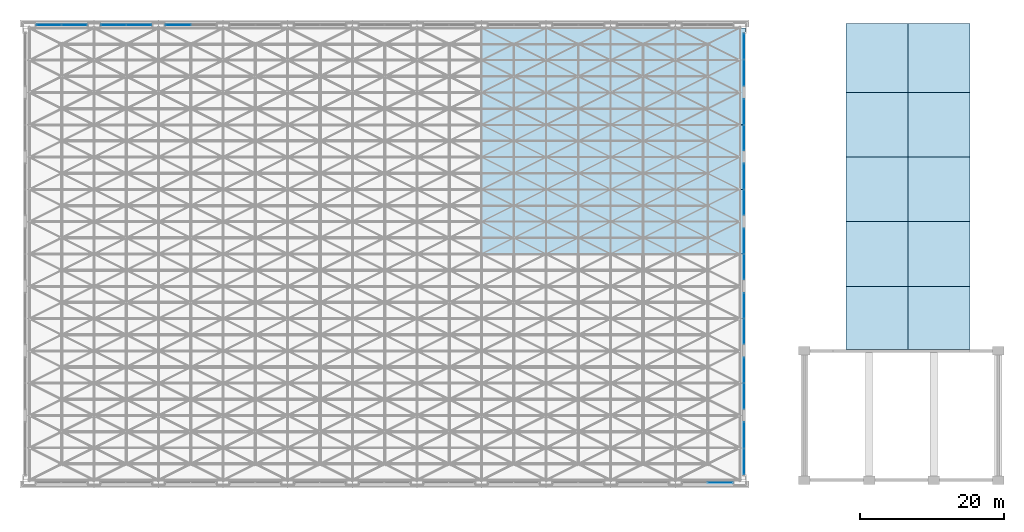
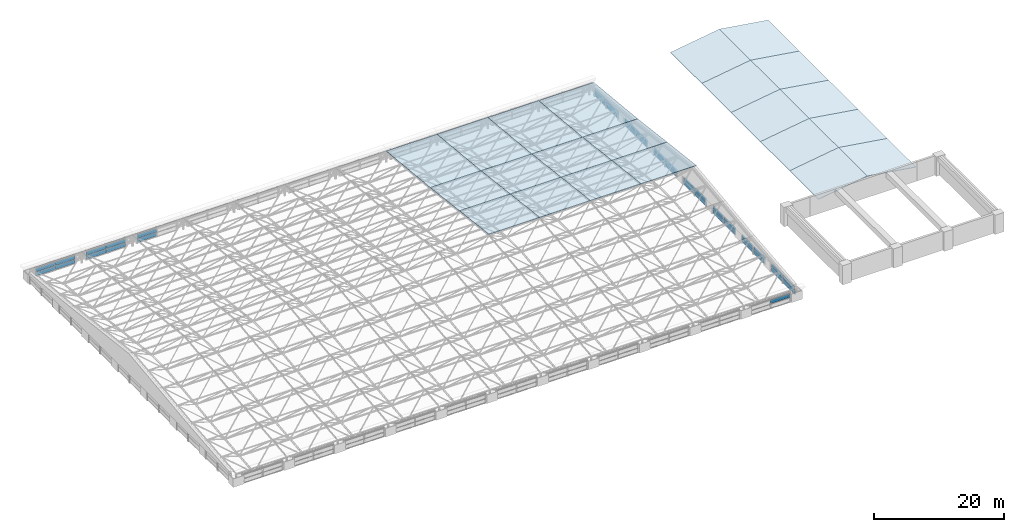
# One storey, part 25 of 53: 39 plates, 22 slabs, 11 elements without a shape of their own.
"""IFC4 building model written with IfcOpenShell, lengths in metres."""

from ifc_helpers import new_model, si_unit, direction, frame, origin, origin_2d, place, context, subcontext, project, spatial, polyline, rectangle, outline, extrude, material, layer, layer_set, type_object, element, aggregate, save


model = new_model("IFC4")

# Units and contexts
model_context = context("Model", 3, precision=1e-05, world=origin(), true_north=direction((0.0, 1.0)))
body_context = subcontext(model_context, "Body", "Model", "MODEL_VIEW")
ifc_project = project(units=[si_unit("LENGTHUNIT", "METRE"), si_unit("AREAUNIT", "SQUARE_METRE"), si_unit("VOLUMEUNIT", "CUBIC_METRE"), si_unit("PLANEANGLEUNIT", "RADIAN"), si_unit("MASSUNIT", "GRAM", prefix="KILO")], contexts=[model_context])

# Site, building, storey
site_placement = place(None, origin())
site = spatial("IfcSite", under=ifc_project, at=site_placement, CompositionType="ELEMENT")
building_placement = place(site_placement, origin())
building = spatial("IfcBuilding", under=site, at=building_placement, Name="Aravalli Gate Trade Fair Centre", CompositionType="ELEMENT")
storey_placement = place(building_placement, frame((0.0, 0.0, 25.199951171875)))
storey = spatial("IfcBuildingStorey", under=building, at=storey_placement, Name="ROOF LEVEL 2", CompositionType="ELEMENT", Elevation=25.199951171875)

# Slabs
ifc_material_1 = material(Name="Steel E350 (350 MPa)", Category="steel")
ifc_layer_1 = layer(ifc_material_1, 0.1201171875)
ifc_layer_set_1 = layer_set([ifc_layer_1], Name="Steel E350 (350 MPa)")
slab_type_1 = type_object("IfcSlabType", Name="Congress roof cover panel 120", PredefinedType="ROOF", material=ifc_layer_set_1)
slab_1_placement = place(storey_placement, frame((119.760009765625, 64.199951171875, 2.408447265625), z_axis=(-0.151034876544, 0.0, 0.988528434628), x_axis=(0.988528434628, 0.0, 0.151034876544)))
element("IfcSlab", 1, at=slab_1_placement, inside=storey, type_object=slab_type_1, Name="Roof cover panel 1.2", PredefinedType="ROOF", context=body_context, shape_type="SweptSolid", body=[
    extrude(outline(polyline([(0.0, 0.0), (8.740155847292566, 0.0), (8.740155847292566, 8.800048828124998), (0.0, 8.800048828124998), (0.0, 0.0)])), origin(), (0.0, 0.0, -1.0), 0.1201171875),
])
slab_2_placement = place(storey_placement, frame((128.39990234375, 64.199951171875, 3.728515625), z_axis=(0.151030706166, 0.0, 0.988529071801), x_axis=(0.988529071801, 0.0, -0.151030706166)))
element("IfcSlab", 2, at=slab_2_placement, inside=storey, type_object=slab_type_1, Name="Roof cover panel 1.3", PredefinedType="ROOF", context=body_context, shape_type="SweptSolid", body=[
    extrude(outline(polyline([(0.0, 0.0), (8.740397187320209, 0.0), (8.740397187320209, 8.800048828125), (0.0, 8.800048828125), (0.0, 0.0)])), origin(), (0.0, 0.0, -1.0), 0.1201171875),
])
slab_3_placement = place(storey_placement, frame((119.760009765625, 73.0, 2.408447265625), z_axis=(-0.151034876544, 0.0, 0.988528434628), x_axis=(0.988528434628, 0.0, 0.151034876544)))
element("IfcSlab", 3, at=slab_3_placement, inside=storey, type_object=slab_type_1, Name="Roof cover panel 2.2", PredefinedType="ROOF", context=body_context, shape_type="SweptSolid", body=[
    extrude(outline(polyline([(0.0, 0.0), (8.740155847292566, 0.0), (8.740155847292566, 9.0), (0.0, 9.0), (0.0, 0.0)])), origin(), (0.0, 0.0, -1.0), 0.1201171875),
])
slab_4_placement = place(storey_placement, frame((128.39990234375, 73.0, 3.728515625), z_axis=(0.151030706166, 0.0, 0.988529071801), x_axis=(0.988529071801, 0.0, -0.151030706166)))
element("IfcSlab", 4, at=slab_4_placement, inside=storey, type_object=slab_type_1, Name="Roof cover panel 2.3", PredefinedType="ROOF", context=body_context, shape_type="SweptSolid", body=[
    extrude(outline(polyline([(0.0, 0.0), (8.740397187320209, 0.0), (8.740397187320209, 9.0), (0.0, 9.0), (0.0, 0.0)])), origin(), (0.0, 0.0, -1.0), 0.1201171875),
])
slab_5_placement = place(storey_placement, frame((119.760009765625, 82.0, 2.408447265625), z_axis=(-0.151034876544, 0.0, 0.988528434628), x_axis=(0.988528434628, 0.0, 0.151034876544)))
element("IfcSlab", 5, at=slab_5_placement, inside=storey, type_object=slab_type_1, Name="Roof cover panel 3.2", PredefinedType="ROOF", context=body_context, shape_type="SweptSolid", body=[
    extrude(outline(polyline([(0.0, 0.0), (8.740155847292566, 0.0), (8.740155847292566, 9.0), (0.0, 9.0), (0.0, 0.0)])), origin(), (0.0, 0.0, -1.0), 0.1201171875),
])
slab_6_placement = place(storey_placement, frame((128.39990234375, 82.0, 3.728515625), z_axis=(0.151030706166, 0.0, 0.988529071801), x_axis=(0.988529071801, 0.0, -0.151030706166)))
element("IfcSlab", 6, at=slab_6_placement, inside=storey, type_object=slab_type_1, Name="Roof cover panel 3.3", PredefinedType="ROOF", context=body_context, shape_type="SweptSolid", body=[
    extrude(outline(polyline([(0.0, 0.0), (8.740397187320209, 0.0), (8.740397187320209, 9.0), (0.0, 9.0), (0.0, 0.0)])), origin(), (0.0, 0.0, -1.0), 0.1201171875),
])
slab_7_placement = place(storey_placement, frame((119.760009765625, 91.0, 2.408447265625), z_axis=(-0.151034876544, 0.0, 0.988528434628), x_axis=(0.988528434628, 0.0, 0.151034876544)))
element("IfcSlab", 7, at=slab_7_placement, inside=storey, type_object=slab_type_1, Name="Roof cover panel 4.2", PredefinedType="ROOF", context=body_context, shape_type="SweptSolid", body=[
    extrude(outline(polyline([(0.0, 0.0), (8.740155847292566, 0.0), (8.740155847292566, 9.0), (0.0, 9.0), (0.0, 0.0)])), origin(), (0.0, 0.0, -1.0), 0.1201171875),
])
slab_8_placement = place(storey_placement, frame((128.39990234375, 91.0, 3.728515625), z_axis=(0.151030706166, 0.0, 0.988529071801), x_axis=(0.988529071801, 0.0, -0.151030706166)))
element("IfcSlab", 8, at=slab_8_placement, inside=storey, type_object=slab_type_1, Name="Roof cover panel 4.3", PredefinedType="ROOF", context=body_context, shape_type="SweptSolid", body=[
    extrude(outline(polyline([(0.0, 0.0), (8.740397187320209, 0.0), (8.740397187320209, 9.0), (0.0, 9.0), (0.0, 0.0)])), origin(), (0.0, 0.0, -1.0), 0.1201171875),
])
slab_9_placement = place(storey_placement, frame((119.760009765625, 100.0, 2.408447265625), z_axis=(-0.151034876544, 0.0, 0.988528434628), x_axis=(0.988528434628, 0.0, 0.151034876544)))
element("IfcSlab", 9, at=slab_9_placement, inside=storey, type_object=slab_type_1, Name="Roof cover panel 5.2", PredefinedType="ROOF", context=body_context, shape_type="SweptSolid", body=[
    extrude(outline(polyline([(0.0, 0.0), (8.740155847292566, 0.0), (8.740155847292566, 9.60009765625), (0.0, 9.60009765625), (0.0, 0.0)])), origin(), (0.0, 0.0, -1.0), 0.1201171875),
])
slab_10_placement = place(storey_placement, frame((128.39990234375, 100.0, 3.728515625), z_axis=(0.151030706166, 0.0, 0.988529071801), x_axis=(0.988529071801, 0.0, -0.151030706166)))
element("IfcSlab", 10, at=slab_10_placement, inside=storey, type_object=slab_type_1, Name="Roof cover panel 5.3", PredefinedType="ROOF", context=body_context, shape_type="SweptSolid", body=[
    extrude(outline(polyline([(0.0, 0.0), (8.740397187320209, 0.0), (8.740397187320209, 9.60009765625), (0.0, 9.60009765625), (0.0, 0.0)])), origin(), (0.0, 0.0, -1.0), 0.1201171875),
])

# Curtain wall, plates
ifc_material_2 = material(Name="Aluminium, glass and louvre", Category="aluminium")
curtain_wall_type = type_object("IfcCurtainWallType", Name="Hall crown curtain wall 3000 module", PredefinedType="NOTDEFINED", material=ifc_material_2)
curtain_wall_1_placement = place(storey_placement, origin())
curtain_wall_1 = element("IfcCurtainWall", 11, at=curtain_wall_1_placement, inside=storey, type_object=curtain_wall_type, Name="Hall east crown curtain wall 1 ROOF LEVEL 2", PredefinedType="NOTDEFINED")
ifc_material_3 = material(Name="Glass, double glazed", Category="glass")
ifc_layer_2 = layer(ifc_material_3, 0.028076171875)
ifc_layer_set_2 = layer_set([ifc_layer_2], Name="Glass, double glazed")
plate_type_1 = type_object("IfcPlateType", Name="Hall curtain wall panel, glass 28", PredefinedType="CURTAIN_PANEL", material=ifc_layer_set_2)
plate_1_placement = place(storey_placement, frame((105.574951171875, 48.6025390625, 0.830078125), z_axis=(0.0, 0.0, 1.0), x_axis=(0.0, 1.0, 0.0)))
plate_1 = element("IfcPlate", 12, at=plate_1_placement, type_object=plate_type_1, Name="HCW1 panel 1.2", PredefinedType="CURTAIN_PANEL", context=body_context, shape_type="SweptSolid", body=[
    extrude(rectangle(XDim=3.5849609375, YDim=0.028076171875, at=origin_2d()), origin(), (0.0, 0.0, 1.0), 0.7099609375),
])
plate_2_placement = place(storey_placement, frame((105.574951171875, 52.24755859375, 0.830078125), z_axis=(0.0, 0.0, 1.0), x_axis=(0.0, 1.0, 0.0)))
plate_2 = element("IfcPlate", 13, at=plate_2_placement, type_object=plate_type_1, Name="HCW1 panel 2.2", PredefinedType="CURTAIN_PANEL", context=body_context, shape_type="SweptSolid", body=[
    extrude(rectangle(XDim=3.5849609375, YDim=0.028076171875, at=origin_2d()), origin(), (0.0, 0.0, 1.0), 0.7099609375),
])

curtain_wall_2_placement = place(storey_placement, origin())
curtain_wall_2 = element("IfcCurtainWall", 14, at=curtain_wall_2_placement, inside=storey, type_object=curtain_wall_type, Name="Hall east crown curtain wall 2 ROOF LEVEL 2", PredefinedType="NOTDEFINED")
plate_3_placement = place(storey_placement, frame((105.574951171875, 57.715087890625, 0.830078125), z_axis=(0.0, 0.0, 1.0), x_axis=(0.0, 1.0, 0.0)))
plate_3 = element("IfcPlate", 15, at=plate_3_placement, type_object=plate_type_1, Name="HCW1 panel 1.2", PredefinedType="CURTAIN_PANEL", context=body_context, shape_type="SweptSolid", body=[
    extrude(rectangle(XDim=3.510009765625, YDim=0.028076171875, at=origin_2d()), origin(), (0.0, 0.0, 1.0), 0.7099609375),
])
plate_4_placement = place(storey_placement, frame((105.574951171875, 61.284912109375, 0.830078125), z_axis=(0.0, 0.0, 1.0), x_axis=(0.0, 1.0, 0.0)))
plate_4 = element("IfcPlate", 16, at=plate_4_placement, type_object=plate_type_1, Name="HCW1 panel 2.2", PredefinedType="CURTAIN_PANEL", context=body_context, shape_type="SweptSolid", body=[
    extrude(rectangle(XDim=3.510009765625, YDim=0.028076171875, at=origin_2d()), origin(), (0.0, 0.0, 1.0), 0.7099609375),
])

curtain_wall_3_placement = place(storey_placement, origin())
curtain_wall_3 = element("IfcCurtainWall", 17, at=curtain_wall_3_placement, inside=storey, type_object=curtain_wall_type, Name="Hall east crown curtain wall 3 ROOF LEVEL 2", PredefinedType="NOTDEFINED")
plate_5_placement = place(storey_placement, frame((105.574951171875, 66.715087890625, 0.830078125), z_axis=(0.0, 0.0, 1.0), x_axis=(0.0, 1.0, 0.0)))
plate_5 = element("IfcPlate", 18, at=plate_5_placement, type_object=plate_type_1, Name="HCW1 panel 1.2", PredefinedType="CURTAIN_PANEL", context=body_context, shape_type="SweptSolid", body=[
    extrude(rectangle(XDim=3.510009765625, YDim=0.028076171875, at=origin_2d()), origin(), (0.0, 0.0, 1.0), 0.7099609375),
])
plate_6_placement = place(storey_placement, frame((105.574951171875, 70.284912109375, 0.830078125), z_axis=(0.0, 0.0, 1.0), x_axis=(0.0, 1.0, 0.0)))
plate_6 = element("IfcPlate", 19, at=plate_6_placement, type_object=plate_type_1, Name="HCW1 panel 2.2", PredefinedType="CURTAIN_PANEL", context=body_context, shape_type="SweptSolid", body=[
    extrude(rectangle(XDim=3.510009765625, YDim=0.028076171875, at=origin_2d()), origin(), (0.0, 0.0, 1.0), 0.7099609375),
])

curtain_wall_4_placement = place(storey_placement, origin())
curtain_wall_4 = element("IfcCurtainWall", 20, at=curtain_wall_4_placement, inside=storey, type_object=curtain_wall_type, Name="Hall east crown curtain wall 4 ROOF LEVEL 2", PredefinedType="NOTDEFINED")
plate_7_placement = place(storey_placement, frame((105.574951171875, 75.715087890625, 0.830078125), z_axis=(0.0, 0.0, 1.0), x_axis=(0.0, 1.0, 0.0)))
plate_7 = element("IfcPlate", 21, at=plate_7_placement, type_object=plate_type_1, Name="HCW1 panel 1.2", PredefinedType="CURTAIN_PANEL", context=body_context, shape_type="SweptSolid", body=[
    extrude(rectangle(XDim=3.510009765625, YDim=0.028076171875, at=origin_2d()), origin(), (0.0, 0.0, 1.0), 0.7099609375),
])
plate_8_placement = place(storey_placement, frame((105.574951171875, 79.284912109375, 0.830078125), z_axis=(0.0, 0.0, 1.0), x_axis=(0.0, 1.0, 0.0)))
plate_8 = element("IfcPlate", 22, at=plate_8_placement, type_object=plate_type_1, Name="HCW1 panel 2.2", PredefinedType="CURTAIN_PANEL", context=body_context, shape_type="SweptSolid", body=[
    extrude(rectangle(XDim=3.510009765625, YDim=0.028076171875, at=origin_2d()), origin(), (0.0, 0.0, 1.0), 0.7099609375),
])

curtain_wall_5_placement = place(storey_placement, origin())
curtain_wall_5 = element("IfcCurtainWall", 23, at=curtain_wall_5_placement, inside=storey, type_object=curtain_wall_type, Name="Hall east crown curtain wall 5 ROOF LEVEL 2", PredefinedType="NOTDEFINED")
plate_9_placement = place(storey_placement, frame((105.574951171875, 84.715087890625, 0.830078125), z_axis=(0.0, 0.0, 1.0), x_axis=(0.0, 1.0, 0.0)))
plate_9 = element("IfcPlate", 24, at=plate_9_placement, type_object=plate_type_1, Name="HCW1 panel 1.2", PredefinedType="CURTAIN_PANEL", context=body_context, shape_type="SweptSolid", body=[
    extrude(rectangle(XDim=3.510009765625, YDim=0.028076171875, at=origin_2d()), origin(), (0.0, 0.0, 1.0), 0.7099609375),
])
plate_10_placement = place(storey_placement, frame((105.574951171875, 88.284912109375, 0.830078125), z_axis=(0.0, 0.0, 1.0), x_axis=(0.0, 1.0, 0.0)))
plate_10 = element("IfcPlate", 25, at=plate_10_placement, type_object=plate_type_1, Name="HCW1 panel 2.2", PredefinedType="CURTAIN_PANEL", context=body_context, shape_type="SweptSolid", body=[
    extrude(rectangle(XDim=3.510009765625, YDim=0.028076171875, at=origin_2d()), origin(), (0.0, 0.0, 1.0), 0.7099609375),
])

curtain_wall_6_placement = place(storey_placement, origin())
curtain_wall_6 = element("IfcCurtainWall", 26, at=curtain_wall_6_placement, inside=storey, type_object=curtain_wall_type, Name="Hall east crown curtain wall 6 ROOF LEVEL 2", PredefinedType="NOTDEFINED")
plate_11_placement = place(storey_placement, frame((105.574951171875, 93.715087890625, 0.830078125), z_axis=(0.0, 0.0, 1.0), x_axis=(0.0, 1.0, 0.0)))
plate_11 = element("IfcPlate", 27, at=plate_11_placement, type_object=plate_type_1, Name="HCW1 panel 1.2", PredefinedType="CURTAIN_PANEL", context=body_context, shape_type="SweptSolid", body=[
    extrude(rectangle(XDim=3.510009765625, YDim=0.028076171875, at=origin_2d()), origin(), (0.0, 0.0, 1.0), 0.7099609375),
])
plate_12_placement = place(storey_placement, frame((105.574951171875, 97.284912109375, 0.830078125), z_axis=(0.0, 0.0, 1.0), x_axis=(0.0, 1.0, 0.0)))
plate_12 = element("IfcPlate", 28, at=plate_12_placement, type_object=plate_type_1, Name="HCW1 panel 2.2", PredefinedType="CURTAIN_PANEL", context=body_context, shape_type="SweptSolid", body=[
    extrude(rectangle(XDim=3.510009765625, YDim=0.028076171875, at=origin_2d()), origin(), (0.0, 0.0, 1.0), 0.7099609375),
])

curtain_wall_7_placement = place(storey_placement, origin())
curtain_wall_7 = element("IfcCurtainWall", 29, at=curtain_wall_7_placement, inside=storey, type_object=curtain_wall_type, Name="Hall east crown curtain wall 7 ROOF LEVEL 2", PredefinedType="NOTDEFINED")
plate_13_placement = place(storey_placement, frame((105.574951171875, 102.75244140625, 0.830078125), z_axis=(0.0, 0.0, 1.0), x_axis=(0.0, 1.0, 0.0)))
plate_13 = element("IfcPlate", 30, at=plate_13_placement, type_object=plate_type_1, Name="HCW1 panel 1.2", PredefinedType="CURTAIN_PANEL", context=body_context, shape_type="SweptSolid", body=[
    extrude(rectangle(XDim=3.5849609375, YDim=0.028076171875, at=origin_2d()), origin(), (0.0, 0.0, 1.0), 0.7099609375),
])
plate_14_placement = place(storey_placement, frame((105.574951171875, 106.3974609375, 0.830078125), z_axis=(0.0, 0.0, 1.0), x_axis=(0.0, 1.0, 0.0)))
plate_14 = element("IfcPlate", 31, at=plate_14_placement, type_object=plate_type_1, Name="HCW1 panel 2.2", PredefinedType="CURTAIN_PANEL", context=body_context, shape_type="SweptSolid", body=[
    extrude(rectangle(XDim=3.5849609375, YDim=0.028076171875, at=origin_2d()), origin(), (0.0, 0.0, 1.0), 0.7099609375),
])

curtain_wall_8_placement = place(storey_placement, origin())
curtain_wall_8 = element("IfcCurtainWall", 32, at=curtain_wall_8_placement, inside=storey, type_object=curtain_wall_type, Name="Hall north crown curtain wall bay 1 ROOF LEVEL 2", PredefinedType="NOTDEFINED")
ifc_material_4 = material(Name="Aluminium louvre blades", Category="aluminium")
ifc_layer_3 = layer(ifc_material_4, 0.06005859375)
ifc_layer_set_3 = layer_set([ifc_layer_3], Name="Aluminium louvre blades")
plate_type_2 = type_object("IfcPlateType", Name="Hall curtain wall panel, louvre 60", PredefinedType="CURTAIN_PANEL", material=ifc_layer_set_3)
plate_15_placement = place(storey_placement, frame((8.739990234375, 109.375, 0.06005859375), z_axis=(0.0, 0.0, 1.0), x_axis=(1.0, 0.0, 0.0)))
plate_15 = element("IfcPlate", 33, at=plate_15_placement, type_object=plate_type_2, Name="HCW1 panel 1.1", PredefinedType="CURTAIN_PANEL", context=body_context, shape_type="SweptSolid", body=[
    extrude(rectangle(XDim=3.4599609375, YDim=0.06005859375, at=origin_2d()), origin(), (0.0, 0.0, 1.0), 0.7099609375),
])
plate_16_placement = place(storey_placement, frame((8.739990234375, 109.375, 0.830078125), z_axis=(0.0, 0.0, 1.0), x_axis=(1.0, 0.0, 0.0)))
plate_16 = element("IfcPlate", 34, at=plate_16_placement, type_object=plate_type_2, Name="HCW1 panel 1.2", PredefinedType="CURTAIN_PANEL", context=body_context, shape_type="SweptSolid", body=[
    extrude(rectangle(XDim=3.4599609375, YDim=0.06005859375, at=origin_2d()), origin(), (0.0, 0.0, 1.0), 0.7099609375),
])
plate_17_placement = place(storey_placement, frame((12.260009765625, 109.375, 0.06005859375), z_axis=(0.0, 0.0, 1.0), x_axis=(1.0, 0.0, 0.0)))
plate_17 = element("IfcPlate", 35, at=plate_17_placement, type_object=plate_type_2, Name="HCW1 panel 2.1", PredefinedType="CURTAIN_PANEL", context=body_context, shape_type="SweptSolid", body=[
    extrude(rectangle(XDim=3.4599609375, YDim=0.06005859375, at=origin_2d()), origin(), (0.0, 0.0, 1.0), 0.7099609375),
])
plate_18_placement = place(storey_placement, frame((12.260009765625, 109.375, 0.830078125), z_axis=(0.0, 0.0, 1.0), x_axis=(1.0, 0.0, 0.0)))
plate_18 = element("IfcPlate", 36, at=plate_18_placement, type_object=plate_type_2, Name="HCW1 panel 2.2", PredefinedType="CURTAIN_PANEL", context=body_context, shape_type="SweptSolid", body=[
    extrude(rectangle(XDim=3.4599609375, YDim=0.06005859375, at=origin_2d()), origin(), (0.0, 0.0, 1.0), 0.7099609375),
])
aggregate(curtain_wall_8, [plate_15, plate_16, plate_17, plate_18])

curtain_wall_9_placement = place(storey_placement, origin())
curtain_wall_9 = element("IfcCurtainWall", 37, at=curtain_wall_9_placement, inside=storey, type_object=curtain_wall_type, Name="Hall north crown curtain wall bay 2 ROOF LEVEL 2", PredefinedType="NOTDEFINED")
plate_19_placement = place(storey_placement, frame((17.739990234375, 109.375, 0.06005859375), z_axis=(0.0, 0.0, 1.0), x_axis=(1.0, 0.0, 0.0)))
plate_19 = element("IfcPlate", 38, at=plate_19_placement, type_object=plate_type_2, Name="HCW1 panel 1.1", PredefinedType="CURTAIN_PANEL", context=body_context, shape_type="SweptSolid", body=[
    extrude(rectangle(XDim=3.4599609375, YDim=0.06005859375, at=origin_2d()), origin(), (0.0, 0.0, 1.0), 0.7099609375),
])
plate_20_placement = place(storey_placement, frame((17.739990234375, 109.375, 0.830078125), z_axis=(0.0, 0.0, 1.0), x_axis=(1.0, 0.0, 0.0)))
plate_20 = element("IfcPlate", 39, at=plate_20_placement, type_object=plate_type_2, Name="HCW1 panel 1.2", PredefinedType="CURTAIN_PANEL", context=body_context, shape_type="SweptSolid", body=[
    extrude(rectangle(XDim=3.4599609375, YDim=0.06005859375, at=origin_2d()), origin(), (0.0, 0.0, 1.0), 0.7099609375),
])
plate_21_placement = place(storey_placement, frame((21.260009765625, 109.375, 0.06005859375), z_axis=(0.0, 0.0, 1.0), x_axis=(1.0, 0.0, 0.0)))
plate_21 = element("IfcPlate", 40, at=plate_21_placement, type_object=plate_type_2, Name="HCW1 panel 2.1", PredefinedType="CURTAIN_PANEL", context=body_context, shape_type="SweptSolid", body=[
    extrude(rectangle(XDim=3.4599609375, YDim=0.06005859375, at=origin_2d()), origin(), (0.0, 0.0, 1.0), 0.7099609375),
])
plate_22_placement = place(storey_placement, frame((21.260009765625, 109.375, 0.830078125), z_axis=(0.0, 0.0, 1.0), x_axis=(1.0, 0.0, 0.0)))
plate_22 = element("IfcPlate", 41, at=plate_22_placement, type_object=plate_type_2, Name="HCW1 panel 2.2", PredefinedType="CURTAIN_PANEL", context=body_context, shape_type="SweptSolid", body=[
    extrude(rectangle(XDim=3.4599609375, YDim=0.06005859375, at=origin_2d()), origin(), (0.0, 0.0, 1.0), 0.7099609375),
])
aggregate(curtain_wall_9, [plate_19, plate_20, plate_21, plate_22])

curtain_wall_10_placement = place(storey_placement, origin())
curtain_wall_10 = element("IfcCurtainWall", 42, at=curtain_wall_10_placement, inside=storey, type_object=curtain_wall_type, Name="Hall north crown curtain wall bay 3 ROOF LEVEL 2", PredefinedType="NOTDEFINED")
plate_23_placement = place(storey_placement, frame((26.739990234375, 109.375, 0.06005859375), z_axis=(0.0, 0.0, 1.0), x_axis=(1.0, 0.0, 0.0)))
plate_23 = element("IfcPlate", 43, at=plate_23_placement, type_object=plate_type_2, Name="HCW1 panel 1.1", PredefinedType="CURTAIN_PANEL", context=body_context, shape_type="SweptSolid", body=[
    extrude(rectangle(XDim=3.4599609375, YDim=0.06005859375, at=origin_2d()), origin(), (0.0, 0.0, 1.0), 0.7099609375),
])
plate_24_placement = place(storey_placement, frame((26.739990234375, 109.375, 0.830078125), z_axis=(0.0, 0.0, 1.0), x_axis=(1.0, 0.0, 0.0)))
plate_24 = element("IfcPlate", 44, at=plate_24_placement, type_object=plate_type_2, Name="HCW1 panel 1.2", PredefinedType="CURTAIN_PANEL", context=body_context, shape_type="SweptSolid", body=[
    extrude(rectangle(XDim=3.4599609375, YDim=0.06005859375, at=origin_2d()), origin(), (0.0, 0.0, 1.0), 0.7099609375),
])
aggregate(curtain_wall_10, [plate_23, plate_24])

# Curtain wall, plate
curtain_wall_11_placement = place(storey_placement, origin())
curtain_wall_11 = element("IfcCurtainWall", 45, at=curtain_wall_11_placement, inside=storey, type_object=curtain_wall_type, Name="Hall south crown curtain wall bay 11 ROOF LEVEL 2", PredefinedType="NOTDEFINED")
plate_25_placement = place(storey_placement, frame((102.260009765625, 45.625, 0.830078125), z_axis=(0.0, 0.0, 1.0), x_axis=(1.0, 0.0, 0.0)))
plate_25 = element("IfcPlate", 46, at=plate_25_placement, type_object=plate_type_2, Name="HCW1 panel 2.2", PredefinedType="CURTAIN_PANEL", context=body_context, shape_type="SweptSolid", body=[
    extrude(rectangle(XDim=3.4599609375, YDim=0.06005859375, at=origin_2d()), origin(), (0.0, 0.0, 1.0), 0.7099609375),
])
aggregate(curtain_wall_11, [plate_25])

# Plate
plate_26_placement = place(storey_placement, frame((105.574951171875, 48.6025390625, 0.06005859375), z_axis=(0.0, 0.0, 1.0), x_axis=(0.0, 1.0, 0.0)))
plate_26 = element("IfcPlate", 47, at=plate_26_placement, type_object=plate_type_2, Name="HCW1 panel 1.1", PredefinedType="CURTAIN_PANEL", context=body_context, shape_type="SweptSolid", body=[
    extrude(rectangle(XDim=3.5849609375, YDim=0.06005859375, at=origin_2d()), origin(), (0.0, 0.0, 1.0), 0.7099609375),
])

plate_27_placement = place(storey_placement, frame((105.574951171875, 52.24755859375, 0.06005859375), z_axis=(0.0, 0.0, 1.0), x_axis=(0.0, 1.0, 0.0)))
plate_27 = element("IfcPlate", 48, at=plate_27_placement, type_object=plate_type_2, Name="HCW1 panel 2.1", PredefinedType="CURTAIN_PANEL", context=body_context, shape_type="SweptSolid", body=[
    extrude(rectangle(XDim=3.5849609375, YDim=0.06005859375, at=origin_2d()), origin(), (0.0, 0.0, 1.0), 0.7099609375),
])

aggregate(curtain_wall_1, [plate_26, plate_1, plate_27, plate_2])

plate_28_placement = place(storey_placement, frame((105.574951171875, 57.715087890625, 0.06005859375), z_axis=(0.0, 0.0, 1.0), x_axis=(0.0, 1.0, 0.0)))
plate_28 = element("IfcPlate", 49, at=plate_28_placement, type_object=plate_type_2, Name="HCW1 panel 1.1", PredefinedType="CURTAIN_PANEL", context=body_context, shape_type="SweptSolid", body=[
    extrude(rectangle(XDim=3.510009765625, YDim=0.06005859375, at=origin_2d()), origin(), (0.0, 0.0, 1.0), 0.7099609375),
])

plate_29_placement = place(storey_placement, frame((105.574951171875, 61.284912109375, 0.06005859375), z_axis=(0.0, 0.0, 1.0), x_axis=(0.0, 1.0, 0.0)))
plate_29 = element("IfcPlate", 50, at=plate_29_placement, type_object=plate_type_2, Name="HCW1 panel 2.1", PredefinedType="CURTAIN_PANEL", context=body_context, shape_type="SweptSolid", body=[
    extrude(rectangle(XDim=3.510009765625, YDim=0.06005859375, at=origin_2d()), origin(), (0.0, 0.0, 1.0), 0.7099609375),
])

aggregate(curtain_wall_2, [plate_28, plate_3, plate_29, plate_4])

plate_30_placement = place(storey_placement, frame((105.574951171875, 66.715087890625, 0.06005859375), z_axis=(0.0, 0.0, 1.0), x_axis=(0.0, 1.0, 0.0)))
plate_30 = element("IfcPlate", 51, at=plate_30_placement, type_object=plate_type_2, Name="HCW1 panel 1.1", PredefinedType="CURTAIN_PANEL", context=body_context, shape_type="SweptSolid", body=[
    extrude(rectangle(XDim=3.510009765625, YDim=0.06005859375, at=origin_2d()), origin(), (0.0, 0.0, 1.0), 0.7099609375),
])

plate_31_placement = place(storey_placement, frame((105.574951171875, 70.284912109375, 0.06005859375), z_axis=(0.0, 0.0, 1.0), x_axis=(0.0, 1.0, 0.0)))
plate_31 = element("IfcPlate", 52, at=plate_31_placement, type_object=plate_type_2, Name="HCW1 panel 2.1", PredefinedType="CURTAIN_PANEL", context=body_context, shape_type="SweptSolid", body=[
    extrude(rectangle(XDim=3.510009765625, YDim=0.06005859375, at=origin_2d()), origin(), (0.0, 0.0, 1.0), 0.7099609375),
])

aggregate(curtain_wall_3, [plate_30, plate_5, plate_31, plate_6])

plate_32_placement = place(storey_placement, frame((105.574951171875, 75.715087890625, 0.06005859375), z_axis=(0.0, 0.0, 1.0), x_axis=(0.0, 1.0, 0.0)))
plate_32 = element("IfcPlate", 53, at=plate_32_placement, type_object=plate_type_2, Name="HCW1 panel 1.1", PredefinedType="CURTAIN_PANEL", context=body_context, shape_type="SweptSolid", body=[
    extrude(rectangle(XDim=3.510009765625, YDim=0.06005859375, at=origin_2d()), origin(), (0.0, 0.0, 1.0), 0.7099609375),
])

plate_33_placement = place(storey_placement, frame((105.574951171875, 79.284912109375, 0.06005859375), z_axis=(0.0, 0.0, 1.0), x_axis=(0.0, 1.0, 0.0)))
plate_33 = element("IfcPlate", 54, at=plate_33_placement, type_object=plate_type_2, Name="HCW1 panel 2.1", PredefinedType="CURTAIN_PANEL", context=body_context, shape_type="SweptSolid", body=[
    extrude(rectangle(XDim=3.510009765625, YDim=0.06005859375, at=origin_2d()), origin(), (0.0, 0.0, 1.0), 0.7099609375),
])

aggregate(curtain_wall_4, [plate_32, plate_7, plate_33, plate_8])

plate_34_placement = place(storey_placement, frame((105.574951171875, 84.715087890625, 0.06005859375), z_axis=(0.0, 0.0, 1.0), x_axis=(0.0, 1.0, 0.0)))
plate_34 = element("IfcPlate", 55, at=plate_34_placement, type_object=plate_type_2, Name="HCW1 panel 1.1", PredefinedType="CURTAIN_PANEL", context=body_context, shape_type="SweptSolid", body=[
    extrude(rectangle(XDim=3.510009765625, YDim=0.06005859375, at=origin_2d()), origin(), (0.0, 0.0, 1.0), 0.7099609375),
])

plate_35_placement = place(storey_placement, frame((105.574951171875, 88.284912109375, 0.06005859375), z_axis=(0.0, 0.0, 1.0), x_axis=(0.0, 1.0, 0.0)))
plate_35 = element("IfcPlate", 56, at=plate_35_placement, type_object=plate_type_2, Name="HCW1 panel 2.1", PredefinedType="CURTAIN_PANEL", context=body_context, shape_type="SweptSolid", body=[
    extrude(rectangle(XDim=3.510009765625, YDim=0.06005859375, at=origin_2d()), origin(), (0.0, 0.0, 1.0), 0.7099609375),
])

aggregate(curtain_wall_5, [plate_34, plate_9, plate_35, plate_10])

plate_36_placement = place(storey_placement, frame((105.574951171875, 93.715087890625, 0.06005859375), z_axis=(0.0, 0.0, 1.0), x_axis=(0.0, 1.0, 0.0)))
plate_36 = element("IfcPlate", 57, at=plate_36_placement, type_object=plate_type_2, Name="HCW1 panel 1.1", PredefinedType="CURTAIN_PANEL", context=body_context, shape_type="SweptSolid", body=[
    extrude(rectangle(XDim=3.510009765625, YDim=0.06005859375, at=origin_2d()), origin(), (0.0, 0.0, 1.0), 0.7099609375),
])

plate_37_placement = place(storey_placement, frame((105.574951171875, 97.284912109375, 0.06005859375), z_axis=(0.0, 0.0, 1.0), x_axis=(0.0, 1.0, 0.0)))
plate_37 = element("IfcPlate", 58, at=plate_37_placement, type_object=plate_type_2, Name="HCW1 panel 2.1", PredefinedType="CURTAIN_PANEL", context=body_context, shape_type="SweptSolid", body=[
    extrude(rectangle(XDim=3.510009765625, YDim=0.06005859375, at=origin_2d()), origin(), (0.0, 0.0, 1.0), 0.7099609375),
])

aggregate(curtain_wall_6, [plate_36, plate_11, plate_37, plate_12])

plate_38_placement = place(storey_placement, frame((105.574951171875, 102.75244140625, 0.06005859375), z_axis=(0.0, 0.0, 1.0), x_axis=(0.0, 1.0, 0.0)))
plate_38 = element("IfcPlate", 59, at=plate_38_placement, type_object=plate_type_2, Name="HCW1 panel 1.1", PredefinedType="CURTAIN_PANEL", context=body_context, shape_type="SweptSolid", body=[
    extrude(rectangle(XDim=3.5849609375, YDim=0.06005859375, at=origin_2d()), origin(), (0.0, 0.0, 1.0), 0.7099609375),
])

plate_39_placement = place(storey_placement, frame((105.574951171875, 106.3974609375, 0.06005859375), z_axis=(0.0, 0.0, 1.0), x_axis=(0.0, 1.0, 0.0)))
plate_39 = element("IfcPlate", 60, at=plate_39_placement, type_object=plate_type_2, Name="HCW1 panel 2.1", PredefinedType="CURTAIN_PANEL", context=body_context, shape_type="SweptSolid", body=[
    extrude(rectangle(XDim=3.5849609375, YDim=0.06005859375, at=origin_2d()), origin(), (0.0, 0.0, 1.0), 0.7099609375),
])

aggregate(curtain_wall_7, [plate_38, plate_13, plate_39, plate_14])

# Slabs
ifc_material_5 = material(Name="Aluminium standing-seam roof sheet on insulated deck", Category="aluminium")
ifc_layer_4 = layer(ifc_material_5, 0.10009765625)
ifc_layer_set_4 = layer_set([ifc_layer_4], Name="Aluminium standing-seam roof sheet on insulated deck")
slab_type_2 = type_object("IfcSlabType", Name="Hall roof panel 100", PredefinedType="ROOF", material=ifc_layer_set_4)
slab_11_placement = place(storey_placement, frame((69.0, 77.511962890625, 5.565185546875), z_axis=(0.0, 0.119150537915, 0.992876200397), x_axis=(1.0, 0.0, 0.0)))
element("IfcSlab", 61, at=slab_11_placement, inside=storey, type_object=slab_type_2, Name="Hall roof panel bay 8 facet 4", PredefinedType="ROOF", context=body_context, shape_type="SweptSolid", body=[
    extrude(outline(polyline([(0.0, 0.0), (9.0, 0.0), (9.0, 9.052525486845699), (0.0, 9.052525486845699), (0.0, 0.0)])), origin(), (0.0, 0.0, -1.0), 0.10009765625),
])
slab_12_placement = place(storey_placement, frame((69.0, 86.51220703125, 4.485107421875), z_axis=(0.0, 0.121306442071, 0.992615105221), x_axis=(1.0, 0.0, 0.0)))
element("IfcSlab", 62, at=slab_12_placement, inside=storey, type_object=slab_type_2, Name="Hall roof panel bay 8 facet 5", PredefinedType="ROOF", context=body_context, shape_type="SweptSolid", body=[
    extrude(outline(polyline([(0.0, 0.0), (9.0, 0.0), (9.0, 9.054660685172873), (0.0, 9.054660685172873), (0.0, 0.0)])), origin(), (0.0, 0.0, -1.0), 0.10009765625),
])
slab_13_placement = place(storey_placement, frame((69.0, 95.510009765625, 3.3857421875), z_axis=(0.0, 0.099512633907, 0.995036298681), x_axis=(1.0, 0.0, 0.0)))
element("IfcSlab", 63, at=slab_13_placement, inside=storey, type_object=slab_type_2, Name="Hall roof panel bay 8 facet 6", PredefinedType="ROOF", context=body_context, shape_type="SweptSolid", body=[
    extrude(outline(polyline([(0.0, 0.0), (9.0, 0.0), (9.0, 13.55728454555462), (0.0, 13.55728454555462), (0.0, 0.0)])), origin(), (0.0, 0.0, -1.0), 0.10009765625),
])
slab_14_placement = place(storey_placement, frame((78.0, 77.511962890625, 5.565185546875), z_axis=(0.0, 0.119150537915, 0.992876200397), x_axis=(1.0, 0.0, 0.0)))
element("IfcSlab", 64, at=slab_14_placement, inside=storey, type_object=slab_type_2, Name="Hall roof panel bay 9 facet 4", PredefinedType="ROOF", context=body_context, shape_type="SweptSolid", body=[
    extrude(outline(polyline([(0.0, 0.0), (9.0, 0.0), (9.0, 9.052525486845699), (0.0, 9.052525486845699), (0.0, 0.0)])), origin(), (0.0, 0.0, -1.0), 0.10009765625),
])
slab_15_placement = place(storey_placement, frame((78.0, 86.51220703125, 4.485107421875), z_axis=(0.0, 0.121306442071, 0.992615105221), x_axis=(1.0, 0.0, 0.0)))
element("IfcSlab", 65, at=slab_15_placement, inside=storey, type_object=slab_type_2, Name="Hall roof panel bay 9 facet 5", PredefinedType="ROOF", context=body_context, shape_type="SweptSolid", body=[
    extrude(outline(polyline([(0.0, 0.0), (9.0, 0.0), (9.0, 9.054660685172873), (0.0, 9.054660685172873), (0.0, 0.0)])), origin(), (0.0, 0.0, -1.0), 0.10009765625),
])
slab_16_placement = place(storey_placement, frame((78.0, 95.510009765625, 3.3857421875), z_axis=(0.0, 0.099512633907, 0.995036298681), x_axis=(1.0, 0.0, 0.0)))
element("IfcSlab", 66, at=slab_16_placement, inside=storey, type_object=slab_type_2, Name="Hall roof panel bay 9 facet 6", PredefinedType="ROOF", context=body_context, shape_type="SweptSolid", body=[
    extrude(outline(polyline([(0.0, 0.0), (9.0, 0.0), (9.0, 13.55728454555462), (0.0, 13.55728454555462), (0.0, 0.0)])), origin(), (0.0, 0.0, -1.0), 0.10009765625),
])
slab_17_placement = place(storey_placement, frame((87.0, 77.511962890625, 5.565185546875), z_axis=(0.0, 0.119150537915, 0.992876200397), x_axis=(1.0, 0.0, 0.0)))
element("IfcSlab", 67, at=slab_17_placement, inside=storey, type_object=slab_type_2, Name="Hall roof panel bay 10 facet 4", PredefinedType="ROOF", context=body_context, shape_type="SweptSolid", body=[
    extrude(outline(polyline([(0.0, 0.0), (9.0, 0.0), (9.0, 9.052525486845699), (0.0, 9.052525486845699), (0.0, 0.0)])), origin(), (0.0, 0.0, -1.0), 0.10009765625),
])
slab_18_placement = place(storey_placement, frame((87.0, 86.51220703125, 4.485107421875), z_axis=(0.0, 0.121306442071, 0.992615105221), x_axis=(1.0, 0.0, 0.0)))
element("IfcSlab", 68, at=slab_18_placement, inside=storey, type_object=slab_type_2, Name="Hall roof panel bay 10 facet 5", PredefinedType="ROOF", context=body_context, shape_type="SweptSolid", body=[
    extrude(outline(polyline([(0.0, 0.0), (9.0, 0.0), (9.0, 9.054660685172873), (0.0, 9.054660685172873), (0.0, 0.0)])), origin(), (0.0, 0.0, -1.0), 0.10009765625),
])
slab_19_placement = place(storey_placement, frame((87.0, 95.510009765625, 3.3857421875), z_axis=(0.0, 0.099512633907, 0.995036298681), x_axis=(1.0, 0.0, 0.0)))
element("IfcSlab", 69, at=slab_19_placement, inside=storey, type_object=slab_type_2, Name="Hall roof panel bay 10 facet 6", PredefinedType="ROOF", context=body_context, shape_type="SweptSolid", body=[
    extrude(outline(polyline([(0.0, 0.0), (9.0, 0.0), (9.0, 13.55728454555462), (0.0, 13.55728454555462), (0.0, 0.0)])), origin(), (0.0, 0.0, -1.0), 0.10009765625),
])
slab_20_placement = place(storey_placement, frame((96.0, 77.511962890625, 5.565185546875), z_axis=(0.0, 0.119150537915, 0.992876200397), x_axis=(1.0, 0.0, 0.0)))
element("IfcSlab", 70, at=slab_20_placement, inside=storey, type_object=slab_type_2, Name="Hall roof panel bay 11 facet 4", PredefinedType="ROOF", context=body_context, shape_type="SweptSolid", body=[
    extrude(outline(polyline([(0.0, 0.0), (9.800048828125, 0.0), (9.800048828125, 9.0525254868457), (0.0, 9.0525254868457), (0.0, 0.0)])), origin(), (0.0, 0.0, -1.0), 0.10009765625),
])
slab_21_placement = place(storey_placement, frame((96.0, 86.51220703125, 4.485107421875), z_axis=(0.0, 0.121306442071, 0.992615105221), x_axis=(1.0, 0.0, 0.0)))
element("IfcSlab", 71, at=slab_21_placement, inside=storey, type_object=slab_type_2, Name="Hall roof panel bay 11 facet 5", PredefinedType="ROOF", context=body_context, shape_type="SweptSolid", body=[
    extrude(outline(polyline([(0.0, 0.0), (9.800048828125, 0.0), (9.800048828125, 9.054660685172871), (0.0, 9.054660685172871), (0.0, 0.0)])), origin(), (0.0, 0.0, -1.0), 0.10009765625),
])
slab_22_placement = place(storey_placement, frame((96.0, 95.510009765625, 3.3857421875), z_axis=(0.0, 0.099512633907, 0.995036298681), x_axis=(1.0, 0.0, 0.0)))
element("IfcSlab", 72, at=slab_22_placement, inside=storey, type_object=slab_type_2, Name="Hall roof panel bay 11 facet 6", PredefinedType="ROOF", context=body_context, shape_type="SweptSolid", body=[
    extrude(outline(polyline([(0.0, 0.0), (9.800048828125, 0.0), (9.800048828125, 13.55728454555462), (0.0, 13.55728454555462), (0.0, 0.0)])), origin(), (0.0, 0.0, -1.0), 0.10009765625),
])

save(model, "model.ifc")
